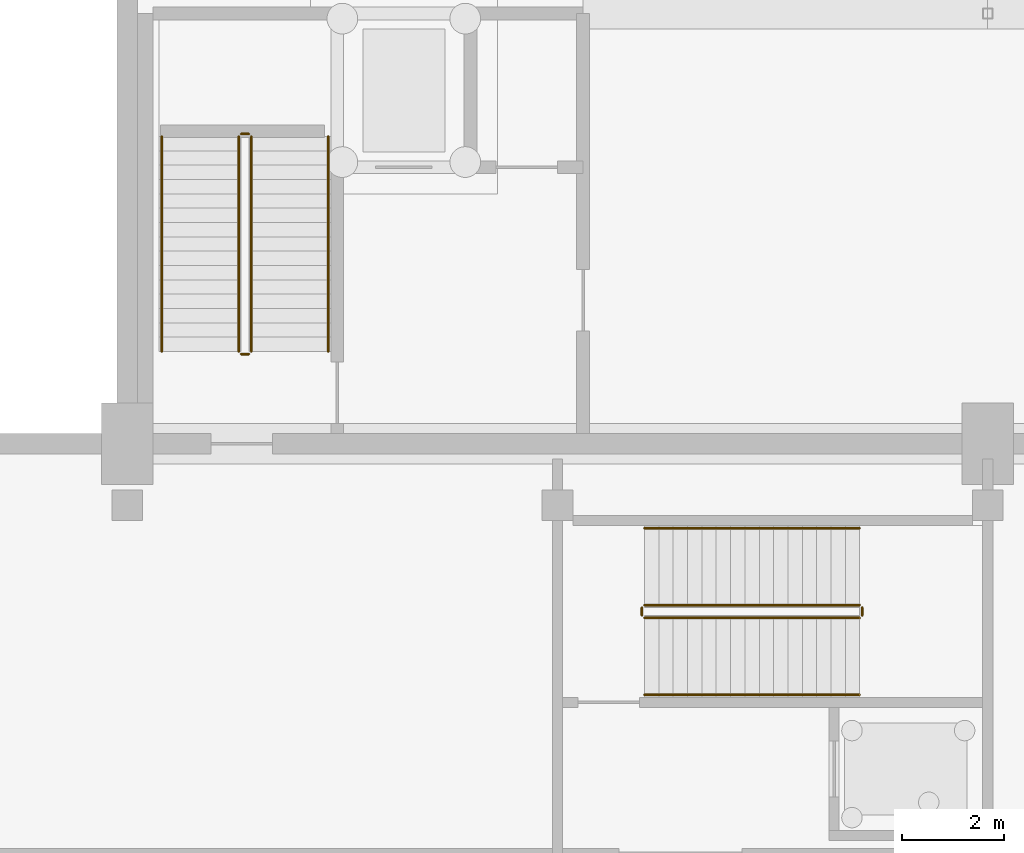
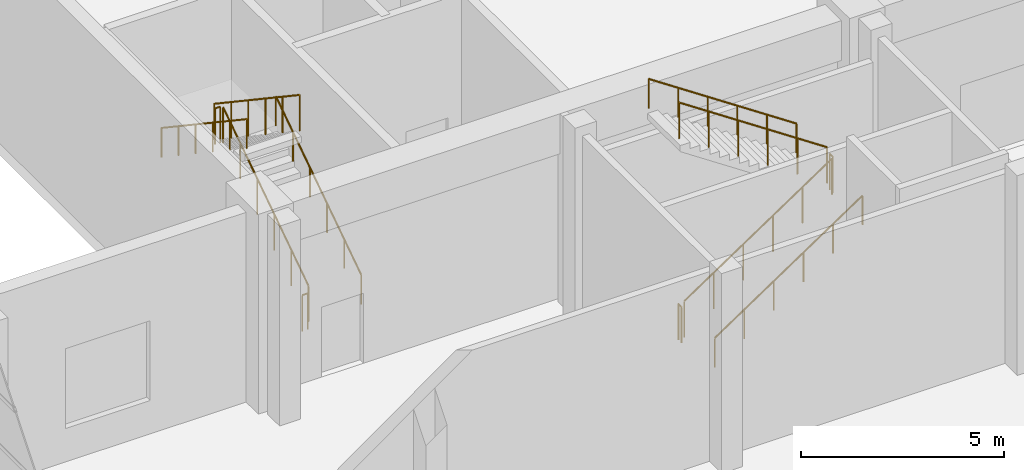
# One storey, part 171 of 210: 12 railings.
"""IFC4 building model written with IfcOpenShell, lengths in metres."""

from ifc_helpers import new_model, si_unit, direction, frame, origin, origin_2d, place, context, subcontext, project, spatial, circle, extrude, material, type_object, element, save


model = new_model("IFC4")

# Units and contexts
model_context = context("Model", 3, precision=1e-05, world=origin(), true_north=direction((0.0, 1.0)))
body_context = subcontext(model_context, "Body", "Model", "MODEL_VIEW")
ifc_project = project(units=[si_unit("LENGTHUNIT", "METRE"), si_unit("AREAUNIT", "SQUARE_METRE"), si_unit("VOLUMEUNIT", "CUBIC_METRE"), si_unit("PLANEANGLEUNIT", "RADIAN"), si_unit("MASSUNIT", "GRAM", prefix="KILO")], contexts=[model_context])

# Site, building, storey
site_placement = place(None, origin())
site = spatial("IfcSite", under=ifc_project, at=site_placement, CompositionType="ELEMENT")
building_placement = place(site_placement, origin())
building = spatial("IfcBuilding", under=site, at=building_placement, Name="Rain Tree Exposition and Congress Centre", CompositionType="ELEMENT")
storey_placement = place(building_placement, origin())
storey = spatial("IfcBuildingStorey", under=building, at=storey_placement, Name="L00", CompositionType="ELEMENT", Elevation=0.0)

# Railings
ifc_material_1 = material(Name="Aluminium and glass balustrade", Category="aluminium")
railing_type_1 = type_object("IfcRailingType", Name="Concourse guard 1100", PredefinedType="GUARDRAIL", material=ifc_material_1)
railing_1_placement = place(storey_placement, frame((18.5, 97.39990234375, 0.1875)))
element("IfcRailing", 1, at=railing_1_placement, inside=storey, type_object=railing_type_1, Name="L00 ST-C7 stair guard 1", PredefinedType="GUARDRAIL", context=body_context, shape_type="SweptSolid", body=[
    extrude(circle(Radius=0.02392578125, at=origin_2d()), frame((0.0, 0.0, 1.076171875), z_axis=(0.830904186295, 0.0, 0.556415522067), x_axis=(0.0, 1.0, 0.0)), (0.0, 0.0, 1.0), 5.0546875),
    extrude(circle(Radius=0.02099609375, at=origin_2d()), origin(), (0.0, 0.0, 1.0), 1.052001953125),
    extrude(circle(Radius=0.02099609375, at=origin_2d()), frame((0.840087890625, 0.0, 0.5625)), (0.0, 0.0, 1.0), 1.052001953125),
    extrude(circle(Radius=0.02099609375, at=origin_2d()), frame((1.679931640625, 0.0, 1.125)), (0.0, 0.0, 1.0), 1.052001953125),
    extrude(circle(Radius=0.02099609375, at=origin_2d()), frame((2.52001953125, 0.0, 1.6875)), (0.0, 0.0, 1.0), 1.052001953125),
    extrude(circle(Radius=0.02099609375, at=origin_2d()), frame((3.35986328125, 0.0, 2.25)), (0.0, 0.0, 1.0), 1.052001953125),
    extrude(circle(Radius=0.02099609375, at=origin_2d()), frame((4.199951171875, 0.0, 2.8125)), (0.0, 0.0, 1.0), 1.052001953125),
])
railing_2_placement = place(storey_placement, frame((22.75, 97.449951171875, 3.0)))
element("IfcRailing", 2, at=railing_2_placement, inside=storey, type_object=railing_type_1, Name="L00 ST-C7 stair guard 2", PredefinedType="GUARDRAIL", context=body_context, shape_type="SweptSolid", body=[
    extrude(circle(Radius=0.02392578125, at=origin_2d()), frame((0.0, 0.0, 1.076171875), z_axis=(0.0, 1.0, 0.0), x_axis=(-1.0, 0.0, 0.0)), (0.0, 0.0, 1.0), 0.150146484375),
    extrude(circle(Radius=0.02099609375, at=origin_2d()), origin(), (0.0, 0.0, 1.0), 1.052001953125),
    extrude(circle(Radius=0.02099609375, at=origin_2d()), frame((0.0, 0.150146484375, 0.0)), (0.0, 0.0, 1.0), 1.052001953125),
])
railing_3_placement = place(storey_placement, frame((22.699951171875, 97.64990234375, 3.1875)))
element("IfcRailing", 3, at=railing_3_placement, inside=storey, type_object=railing_type_1, Name="L00 ST-C7 stair guard 3", PredefinedType="GUARDRAIL", context=body_context, shape_type="SweptSolid", body=[
    extrude(circle(Radius=0.02392578125, at=origin_2d()), frame((0.0, 0.0, 1.076171875), z_axis=(-0.830904186295, 0.0, 0.556415522067), x_axis=(0.0, -1.0, 0.0)), (0.0, 0.0, 1.0), 5.0546875),
    extrude(circle(Radius=0.02099609375, at=origin_2d()), origin(), (0.0, 0.0, 1.0), 1.052001953125),
    extrude(circle(Radius=0.02099609375, at=origin_2d()), frame((-0.840087890625, 0.0, 0.5625)), (0.0, 0.0, 1.0), 1.052001953125),
    extrude(circle(Radius=0.02099609375, at=origin_2d()), frame((-1.679931640625, 0.0, 1.125)), (0.0, 0.0, 1.0), 1.052001953125),
    extrude(circle(Radius=0.02099609375, at=origin_2d()), frame((-2.52001953125, 0.0, 1.6875)), (0.0, 0.0, 1.0), 1.052001953125),
    extrude(circle(Radius=0.02099609375, at=origin_2d()), frame((-3.35986328125, 0.0, 2.25)), (0.0, 0.0, 1.0), 1.052001953125),
    extrude(circle(Radius=0.02099609375, at=origin_2d()), frame((-4.199951171875, 0.0, 2.8125)), (0.0, 0.0, 1.0), 1.052001953125),
])
railing_4_placement = place(storey_placement, frame((18.449951171875, 97.449951171875, 0.0)))
element("IfcRailing", 4, at=railing_4_placement, inside=storey, type_object=railing_type_1, Name="L00 ST-C7 stair guard 4", PredefinedType="GUARDRAIL", context=body_context, shape_type="SweptSolid", body=[
    extrude(circle(Radius=0.02392578125, at=origin_2d()), frame((0.0, 0.0, 1.076171875), z_axis=(0.0, 1.0, 0.0), x_axis=(-1.0, 0.0, 0.0)), (0.0, 0.0, 1.0), 0.150146484375),
    extrude(circle(Radius=0.02099609375, at=origin_2d()), origin(), (0.0, 0.0, 1.0), 1.052001953125),
    extrude(circle(Radius=0.02099609375, at=origin_2d()), frame((0.0, 0.150146484375, 0.0)), (0.0, 0.0, 1.0), 1.052001953125),
])
ifc_material_2 = material(Name="Aluminium handrail", Category="aluminium")
railing_type_2 = type_object("IfcRailingType", Name="Concourse handrail 900", PredefinedType="HANDRAIL", material=ifc_material_2)
railing_5_placement = place(storey_placement, frame((18.5, 95.89990234375, 0.1875)))
element("IfcRailing", 5, at=railing_5_placement, inside=storey, type_object=railing_type_2, Name="L00 ST-C7 stair handrail 1", PredefinedType="HANDRAIL", context=body_context, shape_type="SweptSolid", body=[
    extrude(circle(Radius=0.02392578125, at=origin_2d()), frame((0.0, 0.0, 0.8759765625), z_axis=(0.830904186295, 0.0, 0.556415522067), x_axis=(0.0, 1.0, 0.0)), (0.0, 0.0, 1.0), 5.0546875),
    extrude(circle(Radius=0.02099609375, at=origin_2d()), origin(), (0.0, 0.0, 1.0), 0.851806640625),
    extrude(circle(Radius=0.02099609375, at=origin_2d()), frame((0.840087890625, 0.0, 0.5625)), (0.0, 0.0, 1.0), 0.851806640625),
    extrude(circle(Radius=0.02099609375, at=origin_2d()), frame((1.679931640625, 0.0, 1.125)), (0.0, 0.0, 1.0), 0.851806640625),
    extrude(circle(Radius=0.02099609375, at=origin_2d()), frame((2.52001953125, 0.0, 1.6875)), (0.0, 0.0, 1.0), 0.851806640625),
    extrude(circle(Radius=0.02099609375, at=origin_2d()), frame((3.35986328125, 0.0, 2.25)), (0.0, 0.0, 1.0), 0.851806640625),
    extrude(circle(Radius=0.02099609375, at=origin_2d()), frame((4.199951171875, 0.0, 2.8125)), (0.0, 0.0, 1.0), 0.851806640625),
])
railing_6_placement = place(storey_placement, frame((22.699951171875, 99.14990234375, 3.1875)))
element("IfcRailing", 6, at=railing_6_placement, inside=storey, type_object=railing_type_2, Name="L00 ST-C7 stair handrail 2", PredefinedType="HANDRAIL", context=body_context, shape_type="SweptSolid", body=[
    extrude(circle(Radius=0.02392578125, at=origin_2d()), frame((0.0, 0.0, 0.8759765625), z_axis=(-0.830904186295, 0.0, 0.556415522067), x_axis=(0.0, -1.0, 0.0)), (0.0, 0.0, 1.0), 5.0546875),
    extrude(circle(Radius=0.02099609375, at=origin_2d()), origin(), (0.0, 0.0, 1.0), 0.851806640625),
    extrude(circle(Radius=0.02099609375, at=origin_2d()), frame((-0.840087890625, 0.0, 0.5625)), (0.0, 0.0, 1.0), 0.851806640625),
    extrude(circle(Radius=0.02099609375, at=origin_2d()), frame((-1.679931640625, 0.0, 1.125)), (0.0, 0.0, 1.0), 0.851806640625),
    extrude(circle(Radius=0.02099609375, at=origin_2d()), frame((-2.52001953125, 0.0, 1.6875)), (0.0, 0.0, 1.0), 0.851806640625),
    extrude(circle(Radius=0.02099609375, at=origin_2d()), frame((-3.35986328125, 0.0, 2.25)), (0.0, 0.0, 1.0), 0.851806640625),
    extrude(circle(Radius=0.02099609375, at=origin_2d()), frame((-4.199951171875, 0.0, 2.8125)), (0.0, 0.0, 1.0), 0.851806640625),
])
ifc_material_3 = material(Name="Steel S355J2H", Category="steel")
railing_type_3 = type_object("IfcRailingType", Name="Stair guard 1100", PredefinedType="GUARDRAIL", material=ifc_material_3)
railing_7_placement = place(storey_placement, frame((10.824951171875, 102.60009765625, 0.1875)))
element("IfcRailing", 7, at=railing_7_placement, inside=storey, type_object=railing_type_3, Name="L00 ST-H1 stair guard 1", PredefinedType="GUARDRAIL", context=body_context, shape_type="SweptSolid", body=[
    extrude(circle(Radius=0.02392578125, at=origin_2d()), frame((0.0, 0.0, 1.076171875), z_axis=(0.0, 0.830904186295, 0.556415522067), x_axis=(-1.0, 0.0, 0.0)), (0.0, 0.0, 1.0), 5.0546875),
    extrude(circle(Radius=0.02099609375, at=origin_2d()), origin(), (0.0, 0.0, 1.0), 1.052001953125),
    extrude(circle(Radius=0.02099609375, at=origin_2d()), frame((0.0, 0.840087890625, 0.5625)), (0.0, 0.0, 1.0), 1.052001953125),
    extrude(circle(Radius=0.02099609375, at=origin_2d()), frame((0.0, 1.679931640625, 1.125)), (0.0, 0.0, 1.0), 1.052001953125),
    extrude(circle(Radius=0.02099609375, at=origin_2d()), frame((0.0, 2.52001953125, 1.6875)), (0.0, 0.0, 1.0), 1.052001953125),
    extrude(circle(Radius=0.02099609375, at=origin_2d()), frame((0.0, 3.35986328125, 2.25)), (0.0, 0.0, 1.0), 1.052001953125),
    extrude(circle(Radius=0.02099609375, at=origin_2d()), frame((0.0, 4.199951171875, 2.8125)), (0.0, 0.0, 1.0), 1.052001953125),
])
railing_8_placement = place(storey_placement, frame((10.77490234375, 106.85009765625, 3.0)))
element("IfcRailing", 8, at=railing_8_placement, inside=storey, type_object=railing_type_3, Name="L00 ST-H1 stair guard 2", PredefinedType="GUARDRAIL", context=body_context, shape_type="SweptSolid", body=[
    extrude(circle(Radius=0.02392578125, at=origin_2d()), frame((0.0, 0.0, 1.076171875), z_axis=(-1.0, 0.0, 0.0), x_axis=(0.0, -1.0, 0.0)), (0.0, 0.0, 1.0), 0.14990234375),
    extrude(circle(Radius=0.02099609375, at=origin_2d()), origin(), (0.0, 0.0, 1.0), 1.052001953125),
    extrude(circle(Radius=0.02099609375, at=origin_2d()), frame((-0.14990234375, 0.0, 0.0)), (0.0, 0.0, 1.0), 1.052001953125),
])
railing_9_placement = place(storey_placement, frame((10.574951171875, 106.800048828125, 3.1875)))
element("IfcRailing", 9, at=railing_9_placement, inside=storey, type_object=railing_type_3, Name="L00 ST-H1 stair guard 3", PredefinedType="GUARDRAIL", context=body_context, shape_type="SweptSolid", body=[
    extrude(circle(Radius=0.02392578125, at=origin_2d()), frame((0.0, 0.0, 1.076171875), z_axis=(0.0, -0.830904186295, 0.556415522067), x_axis=(1.0, 0.0, 0.0)), (0.0, 0.0, 1.0), 5.0546875),
    extrude(circle(Radius=0.02099609375, at=origin_2d()), origin(), (0.0, 0.0, 1.0), 1.052001953125),
    extrude(circle(Radius=0.02099609375, at=origin_2d()), frame((0.0, -0.840087890625, 0.5625)), (0.0, 0.0, 1.0), 1.052001953125),
    extrude(circle(Radius=0.02099609375, at=origin_2d()), frame((0.0, -1.679931640625, 1.125)), (0.0, 0.0, 1.0), 1.052001953125),
    extrude(circle(Radius=0.02099609375, at=origin_2d()), frame((0.0, -2.52001953125, 1.6875)), (0.0, 0.0, 1.0), 1.052001953125),
    extrude(circle(Radius=0.02099609375, at=origin_2d()), frame((0.0, -3.35986328125, 2.25)), (0.0, 0.0, 1.0), 1.052001953125),
    extrude(circle(Radius=0.02099609375, at=origin_2d()), frame((0.0, -4.199951171875, 2.8125)), (0.0, 0.0, 1.0), 1.052001953125),
])
railing_10_placement = place(storey_placement, frame((10.77490234375, 102.550048828125, 0.0)))
element("IfcRailing", 10, at=railing_10_placement, inside=storey, type_object=railing_type_3, Name="L00 ST-H1 stair guard 4", PredefinedType="GUARDRAIL", context=body_context, shape_type="SweptSolid", body=[
    extrude(circle(Radius=0.02392578125, at=origin_2d()), frame((0.0, 0.0, 1.076171875), z_axis=(-1.0, 0.0, 0.0), x_axis=(0.0, -1.0, 0.0)), (0.0, 0.0, 1.0), 0.14990234375),
    extrude(circle(Radius=0.02099609375, at=origin_2d()), origin(), (0.0, 0.0, 1.0), 1.052001953125),
    extrude(circle(Radius=0.02099609375, at=origin_2d()), frame((-0.14990234375, 0.0, 0.0)), (0.0, 0.0, 1.0), 1.052001953125),
])
ifc_material_4 = material(Name="Steel S355J2H", Category="steel")
railing_type_4 = type_object("IfcRailingType", Name="Stair handrail 900", PredefinedType="HANDRAIL", material=ifc_material_4)
railing_11_placement = place(storey_placement, frame((12.324951171875, 102.60009765625, 0.1875)))
element("IfcRailing", 11, at=railing_11_placement, inside=storey, type_object=railing_type_4, Name="L00 ST-H1 stair handrail 1", PredefinedType="HANDRAIL", context=body_context, shape_type="SweptSolid", body=[
    extrude(circle(Radius=0.02392578125, at=origin_2d()), frame((0.0, 0.0, 0.8759765625), z_axis=(0.0, 0.830904186295, 0.556415522067), x_axis=(-1.0, 0.0, 0.0)), (0.0, 0.0, 1.0), 5.0546875),
    extrude(circle(Radius=0.02099609375, at=origin_2d()), origin(), (0.0, 0.0, 1.0), 0.851806640625),
    extrude(circle(Radius=0.02099609375, at=origin_2d()), frame((0.0, 0.840087890625, 0.5625)), (0.0, 0.0, 1.0), 0.851806640625),
    extrude(circle(Radius=0.02099609375, at=origin_2d()), frame((0.0, 1.679931640625, 1.125)), (0.0, 0.0, 1.0), 0.851806640625),
    extrude(circle(Radius=0.02099609375, at=origin_2d()), frame((0.0, 2.52001953125, 1.6875)), (0.0, 0.0, 1.0), 0.851806640625),
    extrude(circle(Radius=0.02099609375, at=origin_2d()), frame((0.0, 3.35986328125, 2.25)), (0.0, 0.0, 1.0), 0.851806640625),
    extrude(circle(Radius=0.02099609375, at=origin_2d()), frame((0.0, 4.199951171875, 2.8125)), (0.0, 0.0, 1.0), 0.851806640625),
])
railing_12_placement = place(storey_placement, frame((9.074951171875, 106.800048828125, 3.1875)))
element("IfcRailing", 12, at=railing_12_placement, inside=storey, type_object=railing_type_4, Name="L00 ST-H1 stair handrail 2", PredefinedType="HANDRAIL", context=body_context, shape_type="SweptSolid", body=[
    extrude(circle(Radius=0.02392578125, at=origin_2d()), frame((0.0, 0.0, 0.8759765625), z_axis=(0.0, -0.830904186295, 0.556415522067), x_axis=(1.0, 0.0, 0.0)), (0.0, 0.0, 1.0), 5.0546875),
    extrude(circle(Radius=0.02099609375, at=origin_2d()), origin(), (0.0, 0.0, 1.0), 0.851806640625),
    extrude(circle(Radius=0.02099609375, at=origin_2d()), frame((0.0, -0.840087890625, 0.5625)), (0.0, 0.0, 1.0), 0.851806640625),
    extrude(circle(Radius=0.02099609375, at=origin_2d()), frame((0.0, -1.679931640625, 1.125)), (0.0, 0.0, 1.0), 0.851806640625),
    extrude(circle(Radius=0.02099609375, at=origin_2d()), frame((0.0, -2.52001953125, 1.6875)), (0.0, 0.0, 1.0), 0.851806640625),
    extrude(circle(Radius=0.02099609375, at=origin_2d()), frame((0.0, -3.35986328125, 2.25)), (0.0, 0.0, 1.0), 0.851806640625),
    extrude(circle(Radius=0.02099609375, at=origin_2d()), frame((0.0, -4.199951171875, 2.8125)), (0.0, 0.0, 1.0), 0.851806640625),
])

save(model, "model.ifc")
